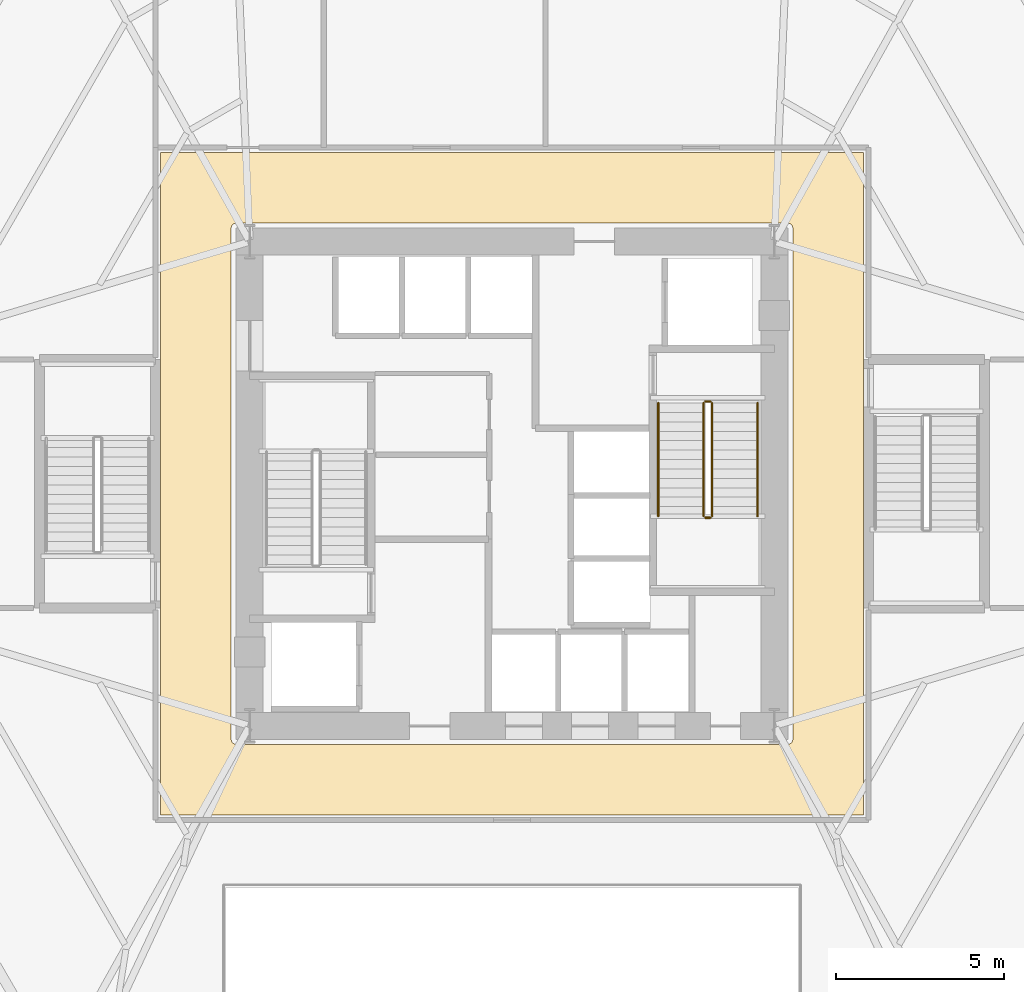
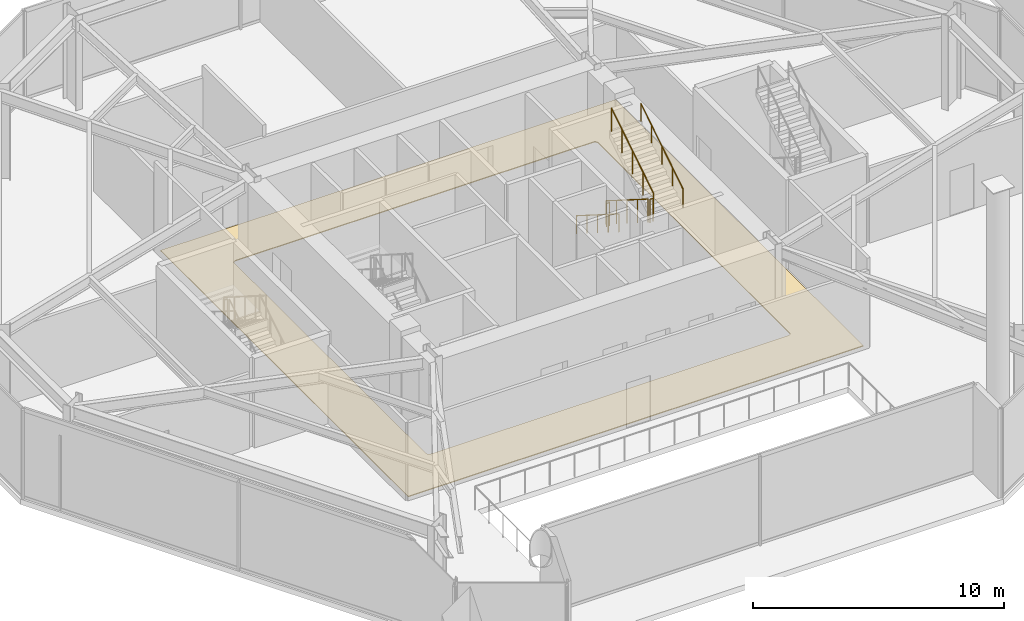
# One storey, part 20 of 22: 6 railings, 1 covering.
"""IFC4 building model written with IfcOpenShell, lengths in metres."""

from ifc_helpers import new_model, si_unit, direction, frame, origin, origin_2d, place, context, subcontext, project, spatial, polyline, circle, outline, extrude, material, layer, layer_set, type_object, element, save


model = new_model("IFC4")

# Units and contexts
model_context = context("Model", 3, precision=1e-05, world=origin(), true_north=direction((0.0, 1.0)))
body_context = subcontext(model_context, "Body", "Model", "MODEL_VIEW")
ifc_project = project(units=[si_unit("LENGTHUNIT", "METRE"), si_unit("AREAUNIT", "SQUARE_METRE"), si_unit("VOLUMEUNIT", "CUBIC_METRE"), si_unit("PLANEANGLEUNIT", "RADIAN"), si_unit("MASSUNIT", "GRAM", prefix="KILO")], contexts=[model_context])

# Site, building, storey
site_placement = place(None, origin())
site = spatial("IfcSite", under=ifc_project, at=site_placement, CompositionType="ELEMENT")
building_placement = place(site_placement, origin())
building = spatial("IfcBuilding", under=site, at=building_placement, Name="Kranzbogen Civic Tower", CompositionType="ELEMENT")
storey_placement = place(building_placement, frame((0.0, 0.0, 5.199951171875)))
storey = spatial("IfcBuildingStorey", under=building, at=storey_placement, Name="L01", CompositionType="ELEMENT", Elevation=5.199951171875)

# Covering
ifc_material_1 = material(Name="Honed Natural Stone Flooring", Category="masonry")
ifc_layer = layer(ifc_material_1, 0.0400390625, Name="Honed Natural Stone Flooring")
ifc_layer_set = layer_set([ifc_layer], Name="Honed Natural Stone Flooring")
covering_type = type_object("IfcCoveringType", Name="Honed Limestone Lobby Flooring 40 mm", PredefinedType="FLOORING", material=ifc_layer_set)
covering_placement = place(storey_placement, origin())
element("IfcCovering", 1, at=covering_placement, inside=storey, type_object=covering_type, Name="L01 honed limestone concourse flooring 1", PredefinedType="FLOORING", context=body_context, shape_type="SweptSolid", body=[
    extrude(outline(polyline([(14.550048828125, 15.14990234375), (14.550048828125, 34.85009765625), (35.449951171875, 34.85009765625), (35.449951171875, 15.14990234375), (14.550048828125, 15.14990234375)]), holes=[polyline([(33.35009765625, 17.39990234375), (33.34912109375, 17.385009765625), (33.346923828125, 17.37109375), (33.343994140625, 17.35595703125), (33.339111328125, 17.343017578125), (33.33203125, 17.3291015625), (33.324951171875, 17.31689453125), (33.31591796875, 17.304931640625), (33.305908203125, 17.2939453125), (33.294921875, 17.283935546875), (33.282958984375, 17.27490234375), (33.27099609375, 17.26806640625), (33.257080078125, 17.260986328125), (33.243896484375, 17.256103515625), (33.22900390625, 17.2529296875), (33.215087890625, 17.2509765625), (33.199951171875, 17.25), (16.800048828125, 17.25), (16.784912109375, 17.2509765625), (16.77099609375, 17.2529296875), (16.756103515625, 17.256103515625), (16.742919921875, 17.260986328125), (16.72900390625, 17.26806640625), (16.717041015625, 17.27490234375), (16.705078125, 17.283935546875), (16.694091796875, 17.2939453125), (16.68408203125, 17.304931640625), (16.675048828125, 17.31689453125), (16.66796875, 17.3291015625), (16.660888671875, 17.343017578125), (16.656005859375, 17.35595703125), (16.653076171875, 17.37109375), (16.65087890625, 17.385009765625), (16.64990234375, 17.39990234375), (16.64990234375, 32.60009765625), (16.65087890625, 32.614990234375), (16.653076171875, 32.62890625), (16.656005859375, 32.64404296875), (16.660888671875, 32.656982421875), (16.66796875, 32.6708984375), (16.675048828125, 32.68310546875), (16.68408203125, 32.695068359375), (16.694091796875, 32.7060546875), (16.705078125, 32.716064453125), (16.717041015625, 32.72509765625), (16.72900390625, 32.73193359375), (16.742919921875, 32.739013671875), (16.756103515625, 32.743896484375), (16.77099609375, 32.7470703125), (16.784912109375, 32.7490234375), (16.800048828125, 32.75), (33.199951171875, 32.75), (33.215087890625, 32.7490234375), (33.22900390625, 32.7470703125), (33.243896484375, 32.743896484375), (33.257080078125, 32.739013671875), (33.27099609375, 32.73193359375), (33.282958984375, 32.72509765625), (33.294921875, 32.716064453125), (33.305908203125, 32.7060546875), (33.31591796875, 32.695068359375), (33.324951171875, 32.68310546875), (33.33203125, 32.6708984375), (33.339111328125, 32.656982421875), (33.343994140625, 32.64404296875), (33.346923828125, 32.62890625), (33.34912109375, 32.614990234375), (33.35009765625, 32.60009765625), (33.35009765625, 17.39990234375)])]), origin(), (0.0, 0.0, 1.0), 0.0400390625),
])

# Railings
ifc_material_2 = material(Name="Steel S355", Category="steel")
railing_type_1 = type_object("IfcRailingType", Name="Internal Stair and Void Steel Guardrail 1150", PredefinedType="GUARDRAIL", material=ifc_material_2)
railing_1_placement = place(storey_placement, frame((30.699951171875, 27.39990234375, 0.177001953125)))
element("IfcRailing", 2, at=railing_1_placement, inside=storey, type_object=railing_type_1, Name="L01 ST-T2 stair guard 1", PredefinedType="GUARDRAIL", context=body_context, shape_type="SweptSolid", body=[
    extrude(circle(Radius=0.02392578125, at=origin_2d()), frame((0.0, 0.0, 1.1259765625), z_axis=(0.0, -0.845372108799, 0.534177870812), x_axis=(1.0, 0.0, 0.0)), (0.0, 0.0, 1.0), 3.974365234375),
    extrude(circle(Radius=0.02099609375, at=origin_2d()), origin(), (0.0, 0.0, 1.0), 1.101806640625),
    extrude(circle(Radius=0.02099609375, at=origin_2d()), frame((0.0, -0.83984375, 0.53076171875)), (0.0, 0.0, 1.0), 1.101806640625),
    extrude(circle(Radius=0.02099609375, at=origin_2d()), frame((0.0, -1.679931640625, 1.0615234375)), (0.0, 0.0, 1.0), 1.101806640625),
    extrude(circle(Radius=0.02099609375, at=origin_2d()), frame((0.0, -2.52001953125, 1.59228515625)), (0.0, 0.0, 1.0), 1.101806640625),
    extrude(circle(Radius=0.02099609375, at=origin_2d()), frame((0.0, -3.35986328125, 2.123046875)), (0.0, 0.0, 1.0), 1.101806640625),
])
railing_2_placement = place(storey_placement, frame((30.75, 23.989990234375, 2.300048828125)))
element("IfcRailing", 3, at=railing_2_placement, inside=storey, type_object=railing_type_1, Name="L01 ST-T2 stair guard 2", PredefinedType="GUARDRAIL", context=body_context, shape_type="SweptSolid", body=[
    extrude(circle(Radius=0.02392578125, at=origin_2d()), frame((0.0, 0.0, 1.1259765625), z_axis=(1.0, 0.0, 0.0), x_axis=(0.0, 1.0, 0.0)), (0.0, 0.0, 1.0), 0.14990234375),
    extrude(circle(Radius=0.02099609375, at=origin_2d()), origin(), (0.0, 0.0, 1.0), 1.101806640625),
    extrude(circle(Radius=0.02099609375, at=origin_2d()), frame((0.14990234375, 0.0, 0.0)), (0.0, 0.0, 1.0), 1.101806640625),
])
railing_3_placement = place(storey_placement, frame((30.949951171875, 24.0400390625, 2.47705078125)))
element("IfcRailing", 4, at=railing_3_placement, inside=storey, type_object=railing_type_1, Name="L01 ST-T2 stair guard 3", PredefinedType="GUARDRAIL", context=body_context, shape_type="SweptSolid", body=[
    extrude(circle(Radius=0.02392578125, at=origin_2d()), frame((0.0, 0.0, 1.1259765625), z_axis=(0.0, 0.845372108799, 0.534177870812), x_axis=(-1.0, 0.0, 0.0)), (0.0, 0.0, 1.0), 3.974365234375),
    extrude(circle(Radius=0.02099609375, at=origin_2d()), origin(), (0.0, 0.0, 1.0), 1.101806640625),
    extrude(circle(Radius=0.02099609375, at=origin_2d()), frame((0.0, 0.83984375, 0.53076171875)), (0.0, 0.0, 1.0), 1.101806640625),
    extrude(circle(Radius=0.02099609375, at=origin_2d()), frame((0.0, 1.679931640625, 1.0615234375)), (0.0, 0.0, 1.0), 1.101806640625),
    extrude(circle(Radius=0.02099609375, at=origin_2d()), frame((0.0, 2.52001953125, 1.59228515625)), (0.0, 0.0, 1.0), 1.101806640625),
    extrude(circle(Radius=0.02099609375, at=origin_2d()), frame((0.0, 3.35986328125, 2.123046875)), (0.0, 0.0, 1.0), 1.101806640625),
])
railing_4_placement = place(storey_placement, frame((30.75, 27.449951171875, 0.0)))
element("IfcRailing", 5, at=railing_4_placement, inside=storey, type_object=railing_type_1, Name="L01 ST-T2 stair guard 4", PredefinedType="GUARDRAIL", context=body_context, shape_type="SweptSolid", body=[
    extrude(circle(Radius=0.02392578125, at=origin_2d()), frame((0.0, 0.0, 1.1259765625), z_axis=(1.0, 0.0, 0.0), x_axis=(0.0, 1.0, 0.0)), (0.0, 0.0, 1.0), 0.14990234375),
    extrude(circle(Radius=0.02099609375, at=origin_2d()), origin(), (0.0, 0.0, 1.0), 1.101806640625),
    extrude(circle(Radius=0.02099609375, at=origin_2d()), frame((0.14990234375, 0.0, 0.0)), (0.0, 0.0, 1.0), 1.101806640625),
])
ifc_material_3 = material(Name="Pale Anodised Aluminium", Category="aluminium")
railing_type_2 = type_object("IfcRailingType", Name="Tubular Stainless Stair Wall Handrail 900", PredefinedType="HANDRAIL", material=ifc_material_3)
railing_5_placement = place(storey_placement, frame((29.35009765625, 27.39990234375, 0.177001953125)))
element("IfcRailing", 6, at=railing_5_placement, inside=storey, type_object=railing_type_2, Name="L01 ST-T2 stair handrail 1", PredefinedType="HANDRAIL", context=body_context, shape_type="SweptSolid", body=[
    extrude(circle(Radius=0.02392578125, at=origin_2d()), frame((0.0, 0.0, 0.8759765625), z_axis=(0.0, -0.845372108799, 0.534177870812), x_axis=(1.0, 0.0, 0.0)), (0.0, 0.0, 1.0), 3.974365234375),
    extrude(circle(Radius=0.02099609375, at=origin_2d()), origin(), (0.0, 0.0, 1.0), 0.851806640625),
    extrude(circle(Radius=0.02099609375, at=origin_2d()), frame((0.0, -0.83984375, 0.53076171875)), (0.0, 0.0, 1.0), 0.851806640625),
    extrude(circle(Radius=0.02099609375, at=origin_2d()), frame((0.0, -1.679931640625, 1.0615234375)), (0.0, 0.0, 1.0), 0.851806640625),
    extrude(circle(Radius=0.02099609375, at=origin_2d()), frame((0.0, -2.52001953125, 1.59228515625)), (0.0, 0.0, 1.0), 0.851806640625),
    extrude(circle(Radius=0.02099609375, at=origin_2d()), frame((0.0, -3.35986328125, 2.123046875)), (0.0, 0.0, 1.0), 0.851806640625),
])
railing_6_placement = place(storey_placement, frame((32.300048828125, 24.0400390625, 2.47705078125)))
element("IfcRailing", 7, at=railing_6_placement, inside=storey, type_object=railing_type_2, Name="L01 ST-T2 stair handrail 2", PredefinedType="HANDRAIL", context=body_context, shape_type="SweptSolid", body=[
    extrude(circle(Radius=0.02392578125, at=origin_2d()), frame((0.0, 0.0, 0.8759765625), z_axis=(0.0, 0.845372108799, 0.534177870812), x_axis=(-1.0, 0.0, 0.0)), (0.0, 0.0, 1.0), 3.974365234375),
    extrude(circle(Radius=0.02099609375, at=origin_2d()), origin(), (0.0, 0.0, 1.0), 0.851806640625),
    extrude(circle(Radius=0.02099609375, at=origin_2d()), frame((0.0, 0.83984375, 0.53076171875)), (0.0, 0.0, 1.0), 0.851806640625),
    extrude(circle(Radius=0.02099609375, at=origin_2d()), frame((0.0, 1.679931640625, 1.0615234375)), (0.0, 0.0, 1.0), 0.851806640625),
    extrude(circle(Radius=0.02099609375, at=origin_2d()), frame((0.0, 2.52001953125, 1.59228515625)), (0.0, 0.0, 1.0), 0.851806640625),
    extrude(circle(Radius=0.02099609375, at=origin_2d()), frame((0.0, 3.35986328125, 2.123046875)), (0.0, 0.0, 1.0), 0.851806640625),
])

save(model, "model.ifc")
